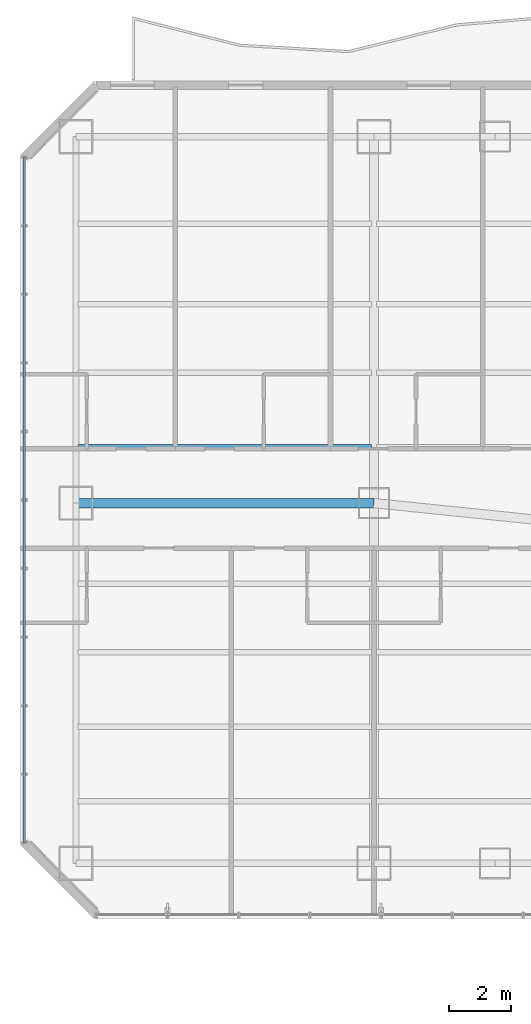
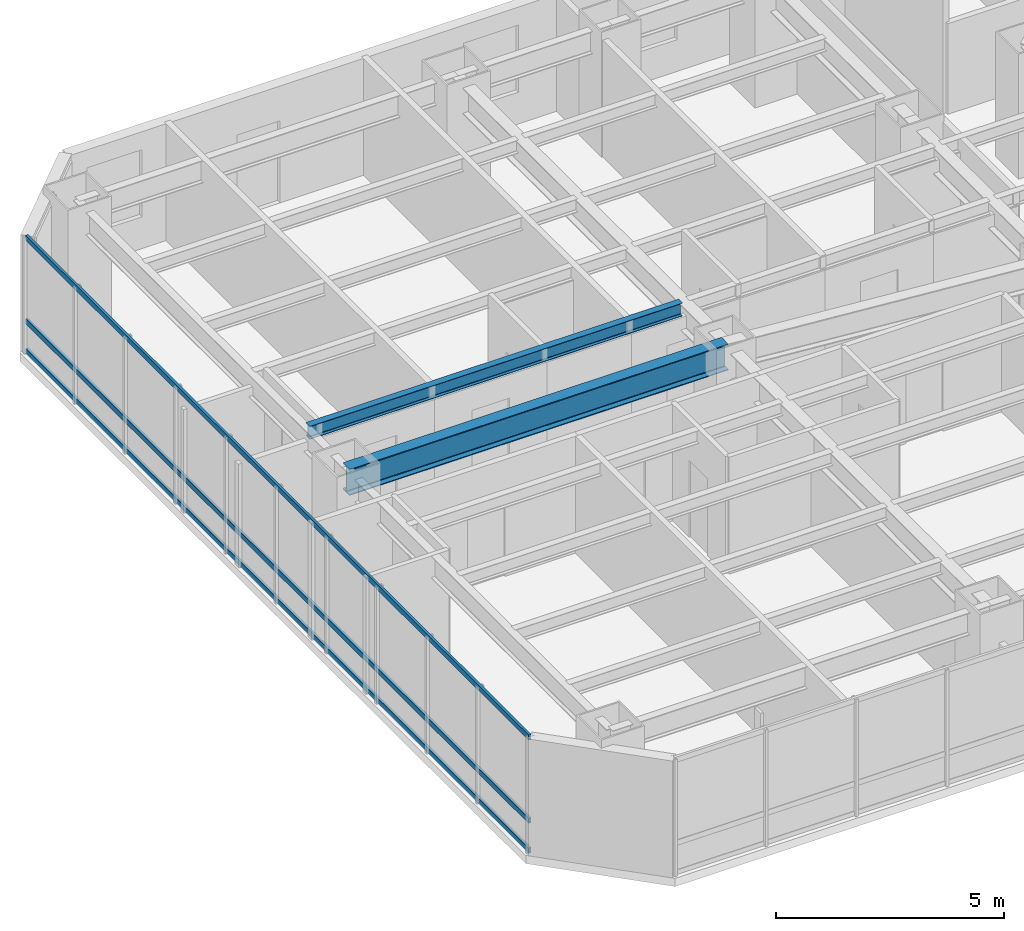
# One storey, part 13 of 32: 3 members, 2 beams, 1 element without a shape of its own.
"""IFC4 building model written with IfcOpenShell, lengths in metres."""

from ifc_helpers import new_model, si_unit, direction, frame, origin, origin_2d, place, context, subcontext, project, spatial, hollow_rectangle, i_section, extrude, material, layer, layer_set, material_profile, profile_set, type_object, element, aggregate, save


model = new_model("IFC4")

# Units and contexts
model_context = context("Model", 3, precision=1e-05, world=origin(), true_north=direction((0.0, 1.0)))
body_context = subcontext(model_context, "Body", "Model", "MODEL_VIEW")
ifc_project = project(units=[si_unit("LENGTHUNIT", "METRE"), si_unit("AREAUNIT", "SQUARE_METRE"), si_unit("VOLUMEUNIT", "CUBIC_METRE"), si_unit("PLANEANGLEUNIT", "RADIAN"), si_unit("MASSUNIT", "GRAM", prefix="KILO")], contexts=[model_context])

# Site, building, storey
site_placement = place(None, origin())
site = spatial("IfcSite", under=ifc_project, at=site_placement, CompositionType="ELEMENT")
building_placement = place(site_placement, origin())
building = spatial("IfcBuilding", under=site, at=building_placement, Name="Hatsunagi Terrace Concourse", CompositionType="ELEMENT")
storey_placement = place(building_placement, frame((0.0, 0.0, 46.64990234375)))
storey = spatial("IfcBuildingStorey", under=building, at=storey_placement, Name="L11", CompositionType="ELEMENT", Elevation=46.64990234375)

# Curtain wall, members
ifc_material_1 = material(Name="Anodised Aluminium Alloy 6063-T5", Category="aluminium")
ifc_layer = layer(ifc_material_1, 0.199951171875)
ifc_layer_set = layer_set([ifc_layer], Name="HotelFacade_CW02")
curtain_wall_type = type_object("IfcCurtainWallType", Name="HotelFacade_CW02", PredefinedType="NOTDEFINED", material=ifc_layer_set)
curtain_wall_placement = place(storey_placement, origin())
curtain_wall = element("IfcCurtainWall", 1, at=curtain_wall_placement, inside=storey, type_object=curtain_wall_type, Name="Unitised Curtain Wall CW-02 CW-L11-09", PredefinedType="NOTDEFINED")
ifc_material_2 = material(Name="Anodised Aluminium Alloy 6063-T5", Category="aluminium")
ifc_material_profile_1 = material_profile(ifc_material_2, hollow_rectangle(XDim=0.06494140625, YDim=0.139892578125, WallThickness=0.00390625, at=origin_2d()), Name="ALU-TRN-140x65x4")
ifc_profile_set_1 = profile_set([ifc_material_profile_1], Name="Anodised Aluminium Alloy 6063-T5")
member_type = type_object("IfcMemberType", Name="CurtainWallTransom_140x65", PredefinedType="USERDEFINED", material=ifc_profile_set_1)
member_1_placement = place(storey_placement, frame((0.139892578125, 25.85791015625, 0.050048828125), z_axis=(0.0, 1.0, 0.0), x_axis=(-1.0, 0.0, 0.0)))
member_1 = element("IfcMember", 2, at=member_1_placement, type_object=member_type, Name="Curtain Wall Transom TRN-02", ObjectType="TRANSOM", PredefinedType="USERDEFINED", context=body_context, shape_type="SweptSolid", body=[
    extrude(hollow_rectangle(XDim=0.06494140625, YDim=0.139892578125, WallThickness=0.00390625, at=origin_2d()), origin(), (0.0, 0.0, 1.0), 22.083984375),
])
member_2_placement = place(storey_placement, frame((0.139892578125, 25.85791015625, 0.85009765625), z_axis=(0.0, 1.0, 0.0), x_axis=(-1.0, 0.0, 0.0)))
member_2 = element("IfcMember", 3, at=member_2_placement, type_object=member_type, Name="Curtain Wall Transom TRN-02", ObjectType="TRANSOM", PredefinedType="USERDEFINED", context=body_context, shape_type="SweptSolid", body=[
    extrude(hollow_rectangle(XDim=0.06494140625, YDim=0.139892578125, WallThickness=0.00390625, at=origin_2d()), origin(), (0.0, 0.0, 1.0), 22.083984375),
])
member_3_placement = place(storey_placement, frame((0.139892578125, 25.85791015625, 3.080078125), z_axis=(0.0, 1.0, 0.0), x_axis=(-1.0, 0.0, 0.0)))
member_3 = element("IfcMember", 4, at=member_3_placement, type_object=member_type, Name="Curtain Wall Transom TRN-02", ObjectType="TRANSOM", PredefinedType="USERDEFINED", context=body_context, shape_type="SweptSolid", body=[
    extrude(hollow_rectangle(XDim=0.06494140625, YDim=0.139892578125, WallThickness=0.00390625, at=origin_2d()), origin(), (0.0, 0.0, 1.0), 22.083984375),
])
aggregate(curtain_wall, [member_1, member_2, member_3])

# Beams
ifc_material_3 = material(Name="Steel SN490B", Category="steel")
ifc_material_profile_2 = material_profile(ifc_material_3, i_section(OverallWidth=0.300048828125, OverallDepth=0.699951171875, WebThickness=0.012939453125, FlangeThickness=0.02392578125, FilletRadius=0.02197265625, at=origin_2d()), Name="H-700x300x13x24")
ifc_profile_set_2 = profile_set([ifc_material_profile_2], Name="Steel SN490B")
beam_type_1 = type_object("IfcBeamType", Name="HotelFloorGirder_H_700x300", PredefinedType="BEAM", material=ifc_profile_set_2)
beam_1_placement = place(storey_placement, frame((1.800048828125, 36.800048828125, 2.780029296875), z_axis=(1.0, 0.0, 0.0), x_axis=(0.0, 1.0, 0.0)))
element("IfcBeam", 5, at=beam_1_placement, inside=storey, type_object=beam_type_1, Name="Beam G-04 BM-L11-EW-1", PredefinedType="BEAM", context=body_context, shape_type="SweptSolid", body=[
    extrude(i_section(OverallWidth=0.300048828125, OverallDepth=0.699951171875, WebThickness=0.012939453125, FlangeThickness=0.02392578125, FilletRadius=0.02197265625, at=origin_2d()), origin(), (0.0, 0.0, 1.0), 9.599853515625),
])
ifc_material_4 = material(Name="Steel SN490B", Category="steel")
ifc_material_profile_3 = material_profile(ifc_material_4, i_section(OverallWidth=0.175048828125, OverallDepth=0.35009765625, WebThickness=0.007080078125, FlangeThickness=0.010986328125, FilletRadius=0.012939453125, at=origin_2d()), Name="H-350x175x7x11")
ifc_profile_set_3 = profile_set([ifc_material_profile_3], Name="Steel SN490B")
beam_type_2 = type_object("IfcBeamType", Name="HotelJoist_H_350x175", PredefinedType="JOIST", material=ifc_profile_set_3)
beam_2_placement = place(storey_placement, frame((1.864990234375, 38.60009765625, 2.955078125), z_axis=(1.0, 0.0, 0.0), x_axis=(0.0, 1.0, 0.0)))
element("IfcBeam", 6, at=beam_2_placement, inside=storey, type_object=beam_type_2, Name="Beam J-02 J-L11-W-1-386", PredefinedType="JOIST", context=body_context, shape_type="SweptSolid", body=[
    extrude(i_section(OverallWidth=0.175048828125, OverallDepth=0.35009765625, WebThickness=0.007080078125, FlangeThickness=0.010986328125, FilletRadius=0.012939453125, at=origin_2d()), origin(), (0.0, 0.0, 1.0), 9.449951171875),
])

save(model, "model.ifc")
